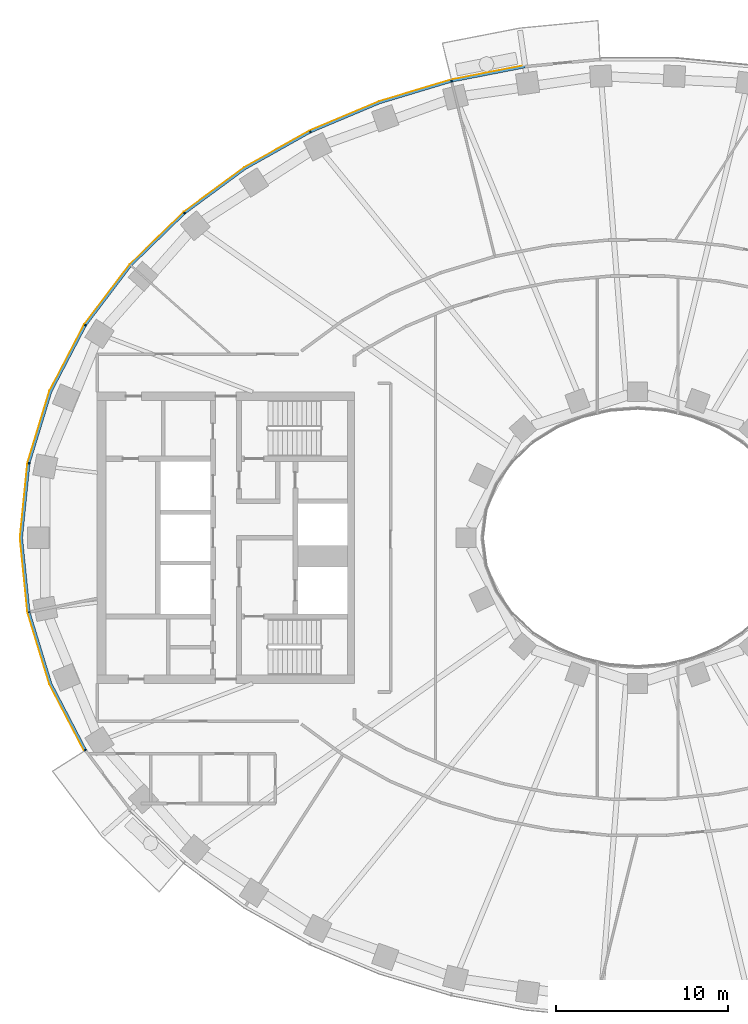
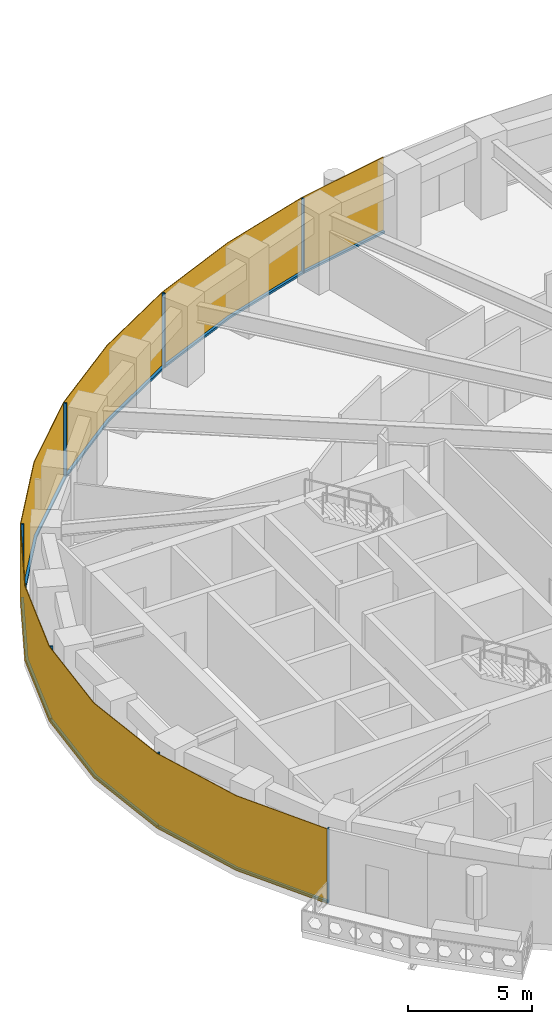
# One storey, part 11 of 16: 14 members, 1 curtain wall.
"""IFC4 building model written with IfcOpenShell, lengths in metres."""

import ifcopenshell
import ifcopenshell.guid

model = None  # the IFC model being written
_history = None  # IfcOwnerHistory: only IFC2X3 demands one
_inside = {}  # id of a spatial element -> (the spatial element, [elements in it])
_under = {}  # id of a project, library or spatial element -> (it, [spatial elements below it])
_declared = {}  # id of a project -> (the project, [libraries it declares])
_typed = {}  # id of a type object -> (the type object, [elements of that type])
_made_of = {}  # id of a material, layer set ... -> (it, [elements and type objects made of it])


def new_model(schema):
    """Start an empty IFC model of exactly this schema.

    Asked for "IFC4X3", IfcOpenShell would pick the latest addendum, in which some entities
    have other attributes; the version numbers below select the first issue.
    IFC2X3 requires an IfcOwnerHistory on every rooted entity: one is made here for all.
    """
    global model, _history
    if schema == "IFC4X3":
        model = ifcopenshell.file(schema_version=(4, 3, 0, 0))
    else:
        model = ifcopenshell.file(schema=schema)
    _inside.clear()
    _under.clear()
    _declared.clear()
    _typed.clear()
    _made_of.clear()
    _history = None
    if model.schema == "IFC2X3":
        org = make("IfcOrganization", Name="unknown")
        user = make(
            "IfcPersonAndOrganization",
            ThePerson=make("IfcPerson", FamilyName="unknown"),
            TheOrganization=org,
        )
        app = make(
            "IfcApplication",
            ApplicationDeveloper=org,
            Version="unknown",
            ApplicationFullName="unknown",
            ApplicationIdentifier="unknown",
        )
        _history = make(
            "IfcOwnerHistory",
            OwningUser=user,
            OwningApplication=app,
            ChangeAction="ADDED",
            CreationDate=0,
        )
    return model


def make(cls, **values):
    """One entity of the class cls with the attributes given. An attribute that is None is left unset."""
    return model.create_entity(
        cls, **{name: value for name, value in values.items() if value is not None}
    )


def rooted(cls, **values):
    """An entity with a GlobalId (a new one), such as an element, a storey or a relation."""
    return make(cls, GlobalId=ifcopenshell.guid.new(), OwnerHistory=_history, **values)


def si_unit(unit_type, name, prefix=None):
    """IfcSIUnit, for example si_unit("LENGTHUNIT", "METRE", prefix="MILLI")."""
    return make("IfcSIUnit", UnitType=unit_type, Prefix=prefix, Name=name)


def assignment(units):
    """IfcUnitAssignment: the units of a project."""
    return None if units is None else make("IfcUnitAssignment", Units=units)


def point(xyz):
    """IfcCartesianPoint."""
    return None if xyz is None else make("IfcCartesianPoint", Coordinates=xyz)


def direction(xyz):
    """IfcDirection."""
    return None if xyz is None else make("IfcDirection", DirectionRatios=xyz)


def frame(location, z_axis=None, x_axis=None):
    """IfcAxis2Placement3D, a coordinate frame: its origin and axes. An axis left out is left unset."""
    return make(
        "IfcAxis2Placement3D",
        Location=point(location),
        Axis=direction(z_axis),
        RefDirection=direction(x_axis),
    )


def frame_2d(location, x_axis=None):
    """IfcAxis2Placement2D, a coordinate frame in the plane: its origin and x axis."""
    return make(
        "IfcAxis2Placement2D", Location=point(location), RefDirection=direction(x_axis)
    )


def origin():
    """The frame at (0, 0, 0) with its axes left unset."""
    return frame((0.0, 0.0, 0.0))


def origin_2d():
    """The frame at (0, 0) in the plane with its x axis left unset."""
    return frame_2d((0.0, 0.0))


def place(relative_to, where):
    """IfcLocalPlacement: puts the frame where relative to a parent placement (None: the world)."""
    return make(
        "IfcLocalPlacement", PlacementRelTo=relative_to, RelativePlacement=where
    )


def context(
    kind, dimensions, precision=None, world=None, true_north=None, identifier=None
):
    """IfcGeometricRepresentationContext, for example the 3D "Model" context."""
    return make(
        "IfcGeometricRepresentationContext",
        ContextIdentifier=identifier,
        ContextType=kind,
        CoordinateSpaceDimension=dimensions,
        Precision=precision,
        WorldCoordinateSystem=world,
        TrueNorth=true_north,
    )


def subcontext(parent, identifier, kind, view, scale=None):
    """IfcGeometricRepresentationSubContext, for example "Body" below "Model"."""
    return make(
        "IfcGeometricRepresentationSubContext",
        ContextIdentifier=identifier,
        ContextType=kind,
        ParentContext=parent,
        TargetScale=scale,
        TargetView=view,
    )


def project(units=None, contexts=None):
    """IfcProject with its units and contexts."""
    return rooted(
        "IfcProject",
        Name="project",
        RepresentationContexts=contexts,
        UnitsInContext=assignment(units),
    )


def spatial(cls, under=None, at=None, **own):
    """A site, building, storey or space (cls), placed at a placement, below another one or the project."""
    s = rooted(cls, ObjectPlacement=at, **own)
    if under is not None:
        _under.setdefault(under.id(), (under, []))[1].append(s)
    return s


def polyline(points):
    """IfcPolyline through the points."""
    return make("IfcPolyline", Points=[point(p) for p in points])


def profile(cls, at=None, kind="AREA", **sizes):
    """A parametric profile (cls). Its sizes go by their IFC names, for example OverallWidth=200.0."""
    return make(cls, ProfileType=kind, Position=at, **sizes)


def rectangle(**sizes):
    """IfcRectangleProfileDef."""
    return profile("IfcRectangleProfileDef", **sizes)


def outline(outer, holes=None, kind="AREA"):
    """IfcArbitraryClosedProfileDef: a profile drawn as a closed curve; with holes, ...WithVoids."""
    if holes is None:
        return make("IfcArbitraryClosedProfileDef", ProfileType=kind, OuterCurve=outer)
    return make(
        "IfcArbitraryProfileDefWithVoids",
        ProfileType=kind,
        OuterCurve=outer,
        InnerCurves=holes,
    )


def extrude(swept, where, along, depth):
    """IfcExtrudedAreaSolid: the profile swept, set in the frame where, extruded along a direction by depth."""
    return make(
        "IfcExtrudedAreaSolid",
        SweptArea=swept,
        Position=where,
        ExtrudedDirection=direction(along),
        Depth=depth,
    )


def shape(context_of_items, identifier, shape_type, items):
    """IfcShapeRepresentation: the items that make up one representation, for example the "Body"."""
    return make(
        "IfcShapeRepresentation",
        ContextOfItems=context_of_items,
        RepresentationIdentifier=identifier,
        RepresentationType=shape_type,
        Items=items,
    )


def material(Name=None, Category=None):
    """IfcMaterial."""
    return make("IfcMaterial", Name=Name, Category=Category)


def layer(
    of_material, thickness, ventilated=None, Name=None, Category=None, Priority=None
):
    """IfcMaterialLayer: one layer of a wall or slab, of a material (None: an air gap)."""
    return make(
        "IfcMaterialLayer",
        Material=of_material,
        LayerThickness=thickness,
        IsVentilated=ventilated,
        Name=Name,
        Category=Category,
        Priority=Priority,
    )


def layer_set(layers, Name=None):
    """IfcMaterialLayerSet."""
    return make("IfcMaterialLayerSet", MaterialLayers=layers, LayerSetName=Name)


def material_profile(
    of_material, cross_section, Name=None, Category=None, Priority=None
):
    """IfcMaterialProfile: a cross section and its material."""
    return make(
        "IfcMaterialProfile",
        Name=Name,
        Material=of_material,
        Profile=cross_section,
        Priority=Priority,
        Category=Category,
    )


def profile_set(profiles, Name=None, composite=None):
    """IfcMaterialProfileSet."""
    return make(
        "IfcMaterialProfileSet",
        Name=Name,
        MaterialProfiles=profiles,
        CompositeProfile=composite,
    )


def made_of(thing, what):
    """Note that an element or type object is made of a material, layer set ...; save() writes the relation."""
    if what is not None:
        _made_of.setdefault(what.id(), (what, []))[1].append(thing)
    return thing


def type_object(cls, material=None, **own):
    """A type object (cls), such as IfcWallType, which elements share."""
    return made_of(rooted(cls, **own), material)


def element(
    cls,
    number,
    at=None,
    inside=None,
    cuts=None,
    type_object=None,
    material=None,
    context=None,
    identifier="Body",
    shape_type=None,
    held_by="IfcProductDefinitionShape",
    body=None,
    shapes=None,
    **own,
):
    """One element of the class cls, such as IfcWall. Its Tag is "e" and its number.

    at: its placement. inside: the storey or other place that contains it. cuts: it is an
    opening in that element (IfcRelVoidsElement). A single representation is given by context,
    identifier, shape_type and body (its items); several are given by shapes. held_by: the class
    of the entity that holds the representations. save() writes the other relations.
    """
    e = rooted(cls, Tag="e%d" % number, ObjectPlacement=at, **own)
    if body is not None:
        shapes = [shape(context, identifier, shape_type, body)]
    if shapes is not None:
        e.Representation = make(held_by, Representations=shapes)
    if inside is not None:
        _inside.setdefault(inside.id(), (inside, []))[1].append(e)
    if cuts is not None:
        rooted(
            "IfcRelVoidsElement", RelatingBuildingElement=cuts, RelatedOpeningElement=e
        )
    if type_object is not None:
        _typed.setdefault(type_object.id(), (type_object, []))[1].append(e)
    return made_of(e, material)


def aggregate(whole, parts):
    """IfcRelAggregates: a whole, such as a stair, and the parts it consists of."""
    return rooted("IfcRelAggregates", RelatingObject=whole, RelatedObjects=parts)


def save(model, path):
    """Write the relations noted so far, then the file.

    IfcRelAggregates (storeys below a building ...), IfcRelContainedInSpatialStructure (elements
    in a storey), IfcRelDefinesByType, IfcRelAssociatesMaterial and IfcRelDeclares: one each for
    every whole, place, type object, material and project.
    """
    for whole, parts in _under.values():
        aggregate(whole, parts)
    for where, things in _inside.values():
        rooted(
            "IfcRelContainedInSpatialStructure",
            RelatedElements=things,
            RelatingStructure=where,
        )
    for kind, things in _typed.values():
        rooted("IfcRelDefinesByType", RelatedObjects=things, RelatingType=kind)
    for what, things in _made_of.values():
        rooted("IfcRelAssociatesMaterial", RelatedObjects=things, RelatingMaterial=what)
    for by, libraries in _declared.values():
        rooted("IfcRelDeclares", RelatingContext=by, RelatedDefinitions=libraries)
    model.write(path)


model = new_model("IFC4")

# Units and contexts
model_context = context("Model", 3, precision=1e-05, world=origin(), true_north=direction((0.0, 1.0)))
body_context = subcontext(model_context, "Body", "Model", "MODEL_VIEW")
ifc_project = project(units=[si_unit("LENGTHUNIT", "METRE"), si_unit("AREAUNIT", "SQUARE_METRE"), si_unit("VOLUMEUNIT", "CUBIC_METRE"), si_unit("PLANEANGLEUNIT", "RADIAN"), si_unit("MASSUNIT", "GRAM", prefix="KILO")], contexts=[model_context])

# Member
ifc_material_1 = material(Name="Aluminium 6063-T6 black anodised", Category="aluminium")
ifc_material_profile = material_profile(ifc_material_1, rectangle(XDim=0.1201171875, YDim=0.06005859375, at=origin_2d()), Name="120x60")
ifc_profile_set = profile_set([ifc_material_profile], Name="Aluminium 6063-T6 black anodised")
member_type_1 = type_object("IfcMemberType", Name="ENV-MULLION-A-120", PredefinedType="MULLION", material=ifc_profile_set)
site_placement = place(None, origin())
building_placement = place(site_placement, origin())
storey_placement = place(building_placement, frame((0.0, 0.0, 132.0)))
member_1_placement = place(storey_placement, frame((-10.84326171875, 26.60498046875, 0.0), z_axis=(0.0, 0.0, 1.0), x_axis=(0.239799081534, -0.970822538106, 0.0)))
member_1 = element("IfcMember", 1, at=member_1_placement, type_object=member_type_1, Name="Mullion A radial 15", PredefinedType="MULLION", context=body_context, shape_type="SweptSolid", body=[
    extrude(rectangle(XDim=0.1201171875, YDim=0.06005859375, at=origin_2d()), origin(), (0.0, 0.0, 1.0), 3.699951171875),
])

member_2_placement = place(storey_placement, frame((-19.06787109375, 23.6474609375, 0.0), z_axis=(0.0, 0.0, 1.0), x_axis=(0.439237769837, -0.898370848563, 0.0)))
member_2 = element("IfcMember", 2, at=member_2_placement, type_object=member_type_1, Name="Mullion A radial 17", PredefinedType="MULLION", context=body_context, shape_type="SweptSolid", body=[
    extrude(rectangle(XDim=0.1201171875, YDim=0.06005859375, at=origin_2d()), origin(), (0.0, 0.0, 1.0), 3.699951171875),
])

member_3_placement = place(storey_placement, frame((-26.403564453125, 18.9130859375, 0.0), z_axis=(0.0, 0.0, 1.0), x_axis=(0.646451313783, -0.762955240435, 0.0)))
member_3 = element("IfcMember", 3, at=member_3_placement, type_object=member_type_1, Name="Mullion A radial 19", PredefinedType="MULLION", context=body_context, shape_type="SweptSolid", body=[
    extrude(rectangle(XDim=0.1201171875, YDim=0.06005859375, at=origin_2d()), origin(), (0.0, 0.0, 1.0), 3.699951171875),
])

member_4_placement = place(storey_placement, frame((-32.177490234375, 12.385498046875, 0.0), z_axis=(0.0, 0.0, 1.0), x_axis=(0.844829880882, -0.53503501976, 0.0)))
member_4 = element("IfcMember", 4, at=member_4_placement, type_object=member_type_1, Name="Mullion A radial 21", PredefinedType="MULLION", context=body_context, shape_type="SweptSolid", body=[
    extrude(rectangle(XDim=0.1201171875, YDim=0.06005859375, at=origin_2d()), origin(), (0.0, 0.0, 1.0), 3.699951171875),
])

member_5_placement = place(storey_placement, frame((-35.470947265625, 4.340576171875, 0.0), z_axis=(0.0, 0.0, 1.0), x_axis=(0.980379083141, -0.19712141776, 0.0)))
member_5 = element("IfcMember", 5, at=member_5_placement, type_object=member_type_1, Name="Mullion A radial 23", PredefinedType="MULLION", context=body_context, shape_type="SweptSolid", body=[
    extrude(rectangle(XDim=0.1201171875, YDim=0.06005859375, at=origin_2d()), origin(), (0.0, 0.0, 1.0), 3.699951171875),
])

member_6_placement = place(storey_placement, frame((-35.470947265625, -4.340576171875, 0.0), z_axis=(0.0, 0.0, 1.0), x_axis=(0.980379083141, 0.19712141776, 0.0)))
member_6 = element("IfcMember", 6, at=member_6_placement, type_object=member_type_1, Name="Mullion A radial 25", PredefinedType="MULLION", context=body_context, shape_type="SweptSolid", body=[
    extrude(rectangle(XDim=0.1201171875, YDim=0.06005859375, at=origin_2d()), origin(), (0.0, 0.0, 1.0), 3.699951171875),
])

member_7_placement = place(storey_placement, frame((-32.177490234375, -12.385498046875, 0.0), z_axis=(0.0, 0.0, 1.0), x_axis=(0.844829880882, 0.53503501976, 0.0)))
member_7 = element("IfcMember", 7, at=member_7_placement, type_object=member_type_1, Name="Mullion A radial 27", PredefinedType="MULLION", context=body_context, shape_type="SweptSolid", body=[
    extrude(rectangle(XDim=0.1201171875, YDim=0.06005859375, at=origin_2d()), origin(), (0.0, 0.0, 1.0), 3.699951171875),
])

ifc_material_2 = material(Name="Aluminium 6063-T6 black anodised", Category="aluminium")
member_type_2 = type_object("IfcMemberType", Name="ENV-TRANSOM-A", PredefinedType="USERDEFINED", material=ifc_material_2)
member_8_placement = place(storey_placement, origin())
member_8 = element("IfcMember", 8, at=member_8_placement, type_object=member_type_2, Name="Transom A radial 14-15", ObjectType="TRANSOM", PredefinedType="USERDEFINED", context=body_context, shape_type="SweptSolid", body=[
    extrude(outline(polyline([(-6.57470703125, 27.49560546875), (-10.830078125, 26.66845703125), (-10.80126953125, 26.552001953125), (-6.5576171875, 27.376708984375), (-6.57470703125, 27.49560546875)])), origin(), (0.0, 0.0, 1.0), 0.10009765625),
])

member_9_placement = place(storey_placement, origin())
member_9 = element("IfcMember", 9, at=member_9_placement, type_object=member_type_2, Name="Transom A radial 15-17", ObjectType="TRANSOM", PredefinedType="USERDEFINED", context=body_context, shape_type="SweptSolid", body=[
    extrude(outline(polyline([(-10.884521484375, 26.655029296875), (-15.054443359375, 25.400146484375), (-19.068359375, 23.71240234375), (-19.015380859375, 23.604248046875), (-15.013916015625, 25.287109375), (-10.855712890625, 26.53857421875), (-10.884521484375, 26.655029296875)])), origin(), (0.0, 0.0, 1.0), 0.10009765625),
])

member_10_placement = place(storey_placement, origin())
member_10 = element("IfcMember", 10, at=member_10_placement, type_object=member_type_2, Name="Transom A radial 17-19", ObjectType="TRANSOM", PredefinedType="USERDEFINED", context=body_context, shape_type="SweptSolid", body=[
    extrude(outline(polyline([(-19.11865234375, 23.687744140625), (-22.9150390625, 21.556884765625), (-26.419921875, 18.975341796875), (-26.342041015625, 18.883544921875), (-22.85009765625, 21.455810546875), (-19.06591796875, 23.57958984375), (-19.11865234375, 23.687744140625)])), origin(), (0.0, 0.0, 1.0), 0.10009765625),
])

member_11_placement = place(storey_placement, origin())
member_11 = element("IfcMember", 11, at=member_11_placement, type_object=member_type_2, Name="Transom A radial 19-21", ObjectType="TRANSOM", PredefinedType="USERDEFINED", context=body_context, shape_type="SweptSolid", body=[
    extrude(outline(polyline([(-26.46240234375, 18.939208984375), (-29.58349609375, 15.906982421875), (-32.211181640625, 12.43994140625), (-32.109375, 12.37548828125), (-29.493408203125, 15.8271484375), (-26.384765625, 18.847412109375), (-26.46240234375, 18.939208984375)])), origin(), (0.0, 0.0, 1.0), 0.10009765625),
])

member_12_placement = place(storey_placement, origin())
member_12 = element("IfcMember", 12, at=member_12_placement, type_object=member_type_2, Name="Transom A radial 21-23", ObjectType="TRANSOM", PredefinedType="USERDEFINED", context=body_context, shape_type="SweptSolid", body=[
    extrude(outline(polyline([(-32.240966796875, 12.392578125), (-34.251220703125, 8.53662109375), (-35.521484375, 4.379150390625), (-35.4033203125, 4.355224609375), (-34.139892578125, 8.490966796875), (-32.139404296875, 12.328369140625), (-32.240966796875, 12.392578125)])), origin(), (0.0, 0.0, 1.0), 0.10009765625),
])

member_13_placement = place(storey_placement, origin())
member_13 = element("IfcMember", 13, at=member_13_placement, type_object=member_type_2, Name="Transom A radial 23-25", ObjectType="TRANSOM", PredefinedType="USERDEFINED", context=body_context, shape_type="SweptSolid", body=[
    extrude(outline(polyline([(-35.532470703125, 4.324462890625), (-35.9677734375, 0.0), (-35.532470703125, -4.324462890625), (-35.414306640625, -4.30078125), (-35.84716796875, 0.0), (-35.414306640625, 4.30078125), (-35.532470703125, 4.324462890625)])), origin(), (0.0, 0.0, 1.0), 0.10009765625),
])

member_14_placement = place(storey_placement, origin())
member_14 = element("IfcMember", 14, at=member_14_placement, type_object=member_type_2, Name="Transom A radial 25-27", ObjectType="TRANSOM", PredefinedType="USERDEFINED", context=body_context, shape_type="SweptSolid", body=[
    extrude(outline(polyline([(-35.521484375, -4.379150390625), (-34.251220703125, -8.53662109375), (-32.240966796875, -12.392578125), (-32.139404296875, -12.328369140625), (-34.139892578125, -8.490966796875), (-35.4033203125, -4.355224609375), (-35.521484375, -4.379150390625)])), origin(), (0.0, 0.0, 1.0), 0.10009765625),
])

# Site, building, storey
site = spatial("IfcSite", under=ifc_project, at=site_placement, CompositionType="ELEMENT")
building = spatial("IfcBuilding", under=site, at=building_placement, Name="Noorbagh Ring Tower", CompositionType="ELEMENT")
storey = spatial("IfcBuildingStorey", under=building, at=storey_placement, Name="L30", CompositionType="ELEMENT", Elevation=132.0)

# Curtain wall
ifc_material_3 = material(Name="Glass dark tinted laminated", Category="glass")
ifc_layer = layer(ifc_material_3, 0.031982421875)
ifc_layer_set = layer_set([ifc_layer], Name="Glass dark tinted laminated")
curtain_wall_type = type_object("IfcCurtainWallType", Name="ENV-CW-A", PredefinedType="NOTDEFINED", material=ifc_layer_set)
curtain_wall_placement = place(storey_placement, origin())
curtain_wall = element("IfcCurtainWall", 15, at=curtain_wall_placement, inside=storey, type_object=curtain_wall_type, Name="Curtain wall A R14", PredefinedType="NOTDEFINED", context=body_context, shape_type="SweptSolid", body=[
    extrude(outline(polyline([(-6.579345703125, 27.52734375), (-10.865234375, 26.6943359375), (-15.065185546875, 25.430419921875), (-19.108154296875, 23.730224609375), (-22.9326171875, 21.583740234375), (-26.463134765625, 18.9833984375), (-29.607666015625, 15.927978515625), (-32.255126953125, 12.434814453125), (-34.281005859375, 8.548828125), (-35.561279296875, 4.358642578125), (-36.0, 0.0), (-35.561279296875, -4.358642578125), (-34.281005859375, -8.548828125), (-32.264404296875, -12.4169921875), (-32.2373046875, -12.39990234375), (-34.251220703125, -8.53662109375), (-35.529541015625, -4.352294921875), (-35.9677734375, 0.0), (-35.529541015625, 4.352294921875), (-34.251220703125, 8.53662109375), (-32.22802734375, 12.41748046875), (-29.58349609375, 15.906982421875), (-26.4423828125, 18.958740234375), (-22.9150390625, 21.556884765625), (-19.093994140625, 23.701416015625), (-15.054443359375, 25.400146484375), (-10.857666015625, 26.6630859375), (-6.57470703125, 27.49560546875), (-6.579345703125, 27.52734375)])), origin(), (0.0, 0.0, 1.0), 3.699951171875),
])

aggregate(curtain_wall, [member_1, member_2, member_3, member_4, member_5, member_6, member_7, member_8, member_9, member_10, member_11, member_12, member_13, member_14])

save(model, "model.ifc")
